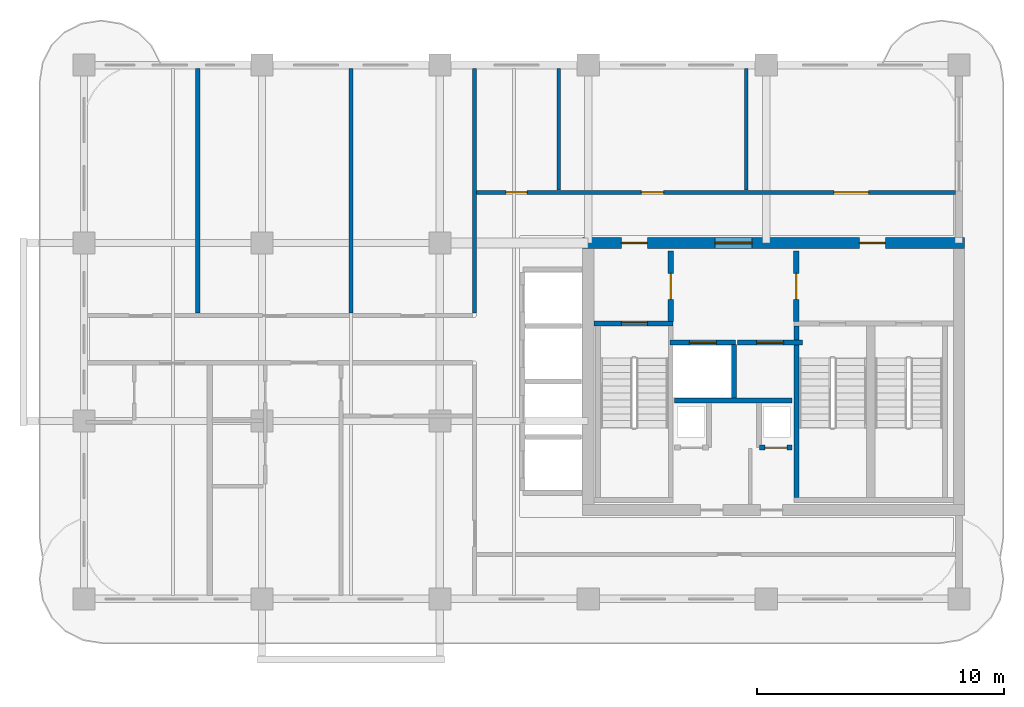
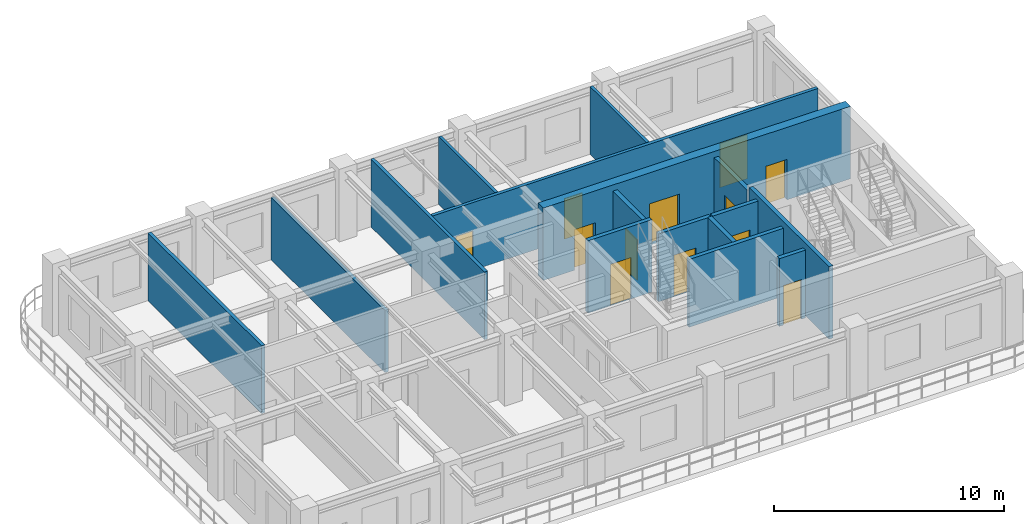
# One storey, part 4 of 7: 16 walls, 12 doors, 12 openings.
"""IFC4 building model written with IfcOpenShell, lengths in metres."""

from ifc_helpers import new_model, si_unit, derived_unit, direction, frame, frame_2d, origin, place, context, subcontext, project, spatial, rectangle, extrude, source, transform, mapped, material, layer, layer_set, type_object, type_shapes, element, fill, save


model = new_model("IFC4")

# Units and contexts
model_context = context("Model", 3, precision=1e-05, world=origin(), true_north=direction((0.0, 1.0)))
body_context = subcontext(model_context, "Body", "Model", "MODEL_VIEW")
ifc_project = project(units=[si_unit("LENGTHUNIT", "METRE"), si_unit("AREAUNIT", "SQUARE_METRE"), si_unit("VOLUMEUNIT", "CUBIC_METRE"), si_unit("PLANEANGLEUNIT", "RADIAN"), si_unit("MASSUNIT", "GRAM", prefix="KILO"), si_unit("THERMODYNAMICTEMPERATUREUNIT", "KELVIN"), si_unit("POWERUNIT", "WATT"), derived_unit("THERMALTRANSMITTANCEUNIT", [(si_unit("POWERUNIT", "WATT"), 1), (si_unit("AREAUNIT", "SQUARE_METRE"), -1), (si_unit("THERMODYNAMICTEMPERATUREUNIT", "KELVIN"), -1)])], contexts=[model_context])

# Site, building, storey
site_placement = place(None, origin())
site = spatial("IfcSite", under=ifc_project, at=site_placement, CompositionType="ELEMENT")
building_placement = place(site_placement, origin())
building = spatial("IfcBuilding", under=site, at=building_placement, Name="Zahravan Archway Hotel and Residences", CompositionType="ELEMENT")
storey_placement = place(building_placement, frame((0.0, 0.0, 244.25)))
storey = spatial("IfcBuildingStorey", under=building, at=storey_placement, Name="L61", CompositionType="ELEMENT", Elevation=244.25)

# Wall, openings, doors
ifc_material_1 = material(Name="Concrete C50/60", Category="concrete")
ifc_layer_1 = layer(ifc_material_1, 0.449951171875, Name="Concrete C50/60", Category="concrete")
ifc_layer_set_1 = layer_set([ifc_layer_1], Name="Concrete C50/60")
wall_type_1 = type_object("IfcWallType", Name="CW-CORE-450", PredefinedType="SHEAR", material=ifc_layer_set_1)
wall_1_placement = place(storey_placement, frame((34.574951171875, 14.39990234375, 0.0), z_axis=(0.0, 0.0, 1.0), x_axis=(1.0, 0.0, 0.0)))
wall_1 = element("IfcWall", 1, at=wall_1_placement, inside=storey, type_object=wall_type_1, Name="L61 Core A Shear N Wall 450 mm", PredefinedType="SHEAR", context=body_context, shape_type="SweptSolid", body=[
    extrude(rectangle(XDim=15.449951171875, YDim=0.449951171875, at=frame_2d((7.72509765625, 0.0))), origin(), (0.0, 0.0, 1.0), 3.85009765625),
])
opening_1_placement = place(wall_1_placement, frame((5.35498046875, 0.0, 0.0)))
opening_1 = element("IfcOpeningElement", 2, at=opening_1_placement, cuts=wall_1, Name="Opening FD-L1", PredefinedType="OPENING", context=body_context, shape_type="SweptSolid", body=[
    extrude(rectangle(XDim=1.5, YDim=2.199951171875, at=frame_2d((0.75, 1.10009765625))), frame((0.0, 0.23486328125, 0.0), z_axis=(0.0, -1.0, 0.0), x_axis=(1.0, 0.0, 0.0)), (0.0, 0.0, 1.0), 0.469970703125),
])
opening_2_placement = place(wall_1_placement, frame((1.570068359375, 0.0, 0.0)))
opening_2 = element("IfcOpeningElement", 3, at=opening_2_placement, cuts=wall_1, Name="Opening FD-L2", PredefinedType="OPENING", context=body_context, shape_type="SweptSolid", body=[
    extrude(rectangle(XDim=1.050048828125, YDim=2.14990234375, at=frame_2d((0.52490234375, 1.074951171875))), frame((0.0, 0.23486328125, 0.0), z_axis=(0.0, -1.0, 0.0), x_axis=(1.0, 0.0, 0.0)), (0.0, 0.0, 1.0), 0.469970703125),
])
opening_3_placement = place(wall_1_placement, frame((11.199951171875, 0.0, 0.0)))
opening_3 = element("IfcOpeningElement", 4, at=opening_3_placement, cuts=wall_1, Name="Opening FD-L2", PredefinedType="OPENING", context=body_context, shape_type="SweptSolid", body=[
    extrude(rectangle(XDim=1.050048828125, YDim=2.14990234375, at=frame_2d((0.52490234375, 1.074951171875))), frame((0.0, 0.23486328125, 0.0), z_axis=(0.0, -1.0, 0.0), x_axis=(1.0, 0.0, 0.0)), (0.0, 0.0, 1.0), 0.469970703125),
])
ifc_material_2 = material(Name="Fire-Rated Painted Steel", Category="steel")
door_type_1 = type_object("IfcDoorType", Name="FD-LOBBY-1100", OperationType="NOTDEFINED", PredefinedType="DOOR", material=ifc_material_2)
shared_shape_1 = source(origin(), body_context, "Body", "SweptSolid", [
    extrude(rectangle(XDim=1.050048828125, YDim=2.14990234375, at=frame_2d((0.52490234375, 1.074951171875))), frame((0.0, 0.02490234375, 0.0), z_axis=(0.0, -1.0, 0.0), x_axis=(1.0, 0.0, 0.0)), (0.0, 0.0, 1.0), 0.050048828125),
])
type_shapes(door_type_1, [shared_shape_1])
door_1_placement = place(opening_2_placement, origin())
door_1 = element("IfcDoor", 5, at=door_1_placement, inside=storey, type_object=door_type_1, Name="L61 Core A West Stair Lobby Door", OperationType="SINGLE_SWING_RIGHT", OverallHeight=2.14990234375, OverallWidth=1.050048828125, PredefinedType="DOOR", context=body_context, shape_type="MappedRepresentation", body=[
    mapped(shared_shape_1, transform((0.0, 0.0, 0.0), scale=1.0)),
])
fill(opening_2, door_1)
door_2_placement = place(opening_3_placement, origin())
door_2 = element("IfcDoor", 6, at=door_2_placement, inside=storey, type_object=door_type_1, Name="L61 Core A East Stair Lobby Door", OperationType="SINGLE_SWING_LEFT", OverallHeight=2.14990234375, OverallWidth=1.050048828125, PredefinedType="DOOR", context=body_context, shape_type="MappedRepresentation", body=[
    mapped(shared_shape_1, transform((0.0, 0.0, 0.0), scale=1.0)),
])
fill(opening_3, door_2)
door_type_2 = type_object("IfcDoorType", Name="FD-LOBBY-1500", OperationType="DOUBLE_DOOR_SINGLE_SWING", PredefinedType="DOOR", material=ifc_material_2)
shared_shape_2 = source(origin(), body_context, "Body", "SweptSolid", [
    extrude(rectangle(XDim=1.5, YDim=2.199951171875, at=frame_2d((0.75, 1.10009765625))), frame((0.0, 0.02490234375, 0.0), z_axis=(0.0, -1.0, 0.0), x_axis=(1.0, 0.0, 0.0)), (0.0, 0.0, 1.0), 0.050048828125),
])
type_shapes(door_type_2, [shared_shape_2])
door_3_placement = place(opening_1_placement, origin())
door_3 = element("IfcDoor", 7, at=door_3_placement, inside=storey, type_object=door_type_2, Name="L61 Core A FSAE Lobby Main Door", OperationType="DOUBLE_DOOR_SINGLE_SWING", OverallHeight=2.199951171875, OverallWidth=1.5, PredefinedType="DOOR", context=body_context, shape_type="MappedRepresentation", body=[
    mapped(shared_shape_2, transform((0.0, 0.0, 0.0), scale=1.0)),
])
fill(opening_1, door_3)

# Wall, opening, door
ifc_material_3 = material(Name="Fire-Rated Gypsum & Concrete Block", Category="concrete")
ifc_layer_2 = layer(ifc_material_3, 0.219970703125, Name="Fire-Rated Gypsum & Concrete Block", Category="concrete")
ifc_layer_set_2 = layer_set([ifc_layer_2], Name="Fire-Rated Gypsum & Concrete Block")
wall_type_2 = type_object("IfcWallType", Name="PW-COMP-220", PredefinedType="PARTITIONING", material=ifc_layer_set_2)
wall_2_placement = place(storey_placement, frame((38.139892578125, 11.219970703125, 0.0), z_axis=(0.0, 0.0, 1.0), x_axis=(0.0, 1.0, 0.0)))
wall_2 = element("IfcWall", 8, at=wall_2_placement, inside=storey, type_object=wall_type_2, Name="L61 Partition CA-LOBW", PredefinedType="PARTITIONING", context=body_context, shape_type="SweptSolid", body=[
    extrude(rectangle(XDim=2.860107421875, YDim=0.219970703125, at=frame_2d((1.43017578125, 0.0))), origin(), (0.0, 0.0, 1.0), 3.60009765625),
])
opening_4_placement = place(wall_2_placement, frame((0.905029296875, 0.0, 0.0)))
opening_4 = element("IfcOpeningElement", 9, at=opening_4_placement, cuts=wall_2, Name="Opening FD-L2", PredefinedType="OPENING", context=body_context, shape_type="SweptSolid", body=[
    extrude(rectangle(XDim=1.050048828125, YDim=2.14990234375, at=frame_2d((0.52490234375, 1.074951171875))), frame((0.0, 0.1201171875, 0.0), z_axis=(0.0, -1.0, 0.0), x_axis=(1.0, 0.0, 0.0)), (0.0, 0.0, 1.0), 0.239990234375),
])
door_4_placement = place(opening_4_placement, origin())
door_4 = element("IfcDoor", 10, at=door_4_placement, inside=storey, type_object=door_type_1, Name="L61 Core A West Stair to FSAE Lobby Door", OperationType="SINGLE_SWING_RIGHT", OverallHeight=2.14990234375, OverallWidth=1.050048828125, PredefinedType="DOOR", context=body_context, shape_type="MappedRepresentation", body=[
    mapped(shared_shape_1, transform((0.0, 0.0, 0.0), scale=1.0)),
])
fill(opening_4, door_4)

wall_3_placement = place(storey_placement, frame((43.219970703125, 11.219970703125, 0.0), z_axis=(0.0, 0.0, 1.0), x_axis=(0.0, 1.0, 0.0)))
wall_3 = element("IfcWall", 11, at=wall_3_placement, inside=storey, type_object=wall_type_2, Name="L61 Partition CA-LOBE", PredefinedType="PARTITIONING", context=body_context, shape_type="SweptSolid", body=[
    extrude(rectangle(XDim=2.860107421875, YDim=0.219970703125, at=frame_2d((1.43017578125, 0.0))), origin(), (0.0, 0.0, 1.0), 3.60009765625),
])
opening_5_placement = place(wall_3_placement, frame((0.905029296875, 0.0, 0.0)))
opening_5 = element("IfcOpeningElement", 12, at=opening_5_placement, cuts=wall_3, Name="Opening FD-L2", PredefinedType="OPENING", context=body_context, shape_type="SweptSolid", body=[
    extrude(rectangle(XDim=1.050048828125, YDim=2.14990234375, at=frame_2d((0.52490234375, 1.074951171875))), frame((0.0, 0.1201171875, 0.0), z_axis=(0.0, -1.0, 0.0), x_axis=(1.0, 0.0, 0.0)), (0.0, 0.0, 1.0), 0.239990234375),
])
door_5_placement = place(opening_5_placement, origin())
door_5 = element("IfcDoor", 13, at=door_5_placement, inside=storey, type_object=door_type_1, Name="L61 Core A East Stair to FSAE Lobby Door", OperationType="SINGLE_SWING_LEFT", OverallHeight=2.14990234375, OverallWidth=1.050048828125, PredefinedType="DOOR", context=body_context, shape_type="MappedRepresentation", body=[
    mapped(shared_shape_1, transform((0.0, 0.0, 0.0), scale=1.0)),
])
fill(opening_5, door_5)

# Wall
ifc_layer_3 = layer(ifc_material_3, 0.159912109375, Name="Fire-Rated Gypsum & Concrete Block", Category="concrete")
ifc_layer_set_3 = layer_set([ifc_layer_3], Name="Fire-Rated Gypsum & Concrete Block")
wall_type_3 = type_object("IfcWallType", Name="PW-CORR-160", PredefinedType="PARTITIONING", material=ifc_layer_set_3)
wall_4_placement = place(storey_placement, frame((30.199951171875, 11.56005859375, 0.0), z_axis=(0.0, 0.0, 1.0), x_axis=(0.0, 1.0, 0.0)))
element("IfcWall", 14, at=wall_4_placement, inside=storey, type_object=wall_type_3, Name="L61 Partition WA-FW", PredefinedType="PARTITIONING", context=body_context, shape_type="SweptSolid", body=[
    extrude(rectangle(XDim=9.89990234375, YDim=0.159912109375, at=frame_2d((4.949951171875, 0.0))), origin(), (0.0, 0.0, 1.0), 3.60009765625),
])

# Wall, openings, doors
wall_5_placement = place(storey_placement, frame((30.2900390625, 16.449951171875, 0.0), z_axis=(0.0, 0.0, 1.0), x_axis=(1.0, 0.0, 0.0)))
wall_5 = element("IfcWall", 15, at=wall_5_placement, inside=storey, type_object=wall_type_3, Name="L61 Partition WA-FN", PredefinedType="PARTITIONING", context=body_context, shape_type="SweptSolid", body=[
    extrude(rectangle(XDim=19.369873046875, YDim=0.159912109375, at=frame_2d((9.68505859375, 0.0))), origin(), (0.0, 0.0, 1.0), 3.60009765625),
])
opening_6_placement = place(wall_5_placement, frame((1.18505859375, 0.0, 0.0)))
opening_6 = element("IfcOpeningElement", 16, at=opening_6_placement, cuts=wall_5, Name="Opening D-B1", PredefinedType="OPENING", context=body_context, shape_type="SweptSolid", body=[
    extrude(rectangle(XDim=0.85009765625, YDim=2.10009765625, at=frame_2d((0.425048828125, 1.050048828125))), frame((0.0, 0.08984375, 0.0), z_axis=(0.0, -1.0, 0.0), x_axis=(1.0, 0.0, 0.0)), (0.0, 0.0, 1.0), 0.179931640625),
])
opening_7_placement = place(wall_5_placement, frame((6.659912109375, 0.0, 0.0)))
opening_7 = element("IfcOpeningElement", 17, at=opening_7_placement, cuts=wall_5, Name="Opening D-I2", PredefinedType="OPENING", context=body_context, shape_type="SweptSolid", body=[
    extrude(rectangle(XDim=0.89990234375, YDim=2.14990234375, at=frame_2d((0.449951171875, 1.074951171875))), frame((0.0, 0.08984375, 0.0), z_axis=(0.0, -1.0, 0.0), x_axis=(1.0, 0.0, 0.0)), (0.0, 0.0, 1.0), 0.179931640625),
])
opening_8_placement = place(wall_5_placement, frame((14.4599609375, 0.0, 0.0)))
opening_8 = element("IfcOpeningElement", 18, at=opening_8_placement, cuts=wall_5, Name="Opening D-P1", PredefinedType="OPENING", context=body_context, shape_type="SweptSolid", body=[
    extrude(rectangle(XDim=1.39990234375, YDim=2.35009765625, at=frame_2d((0.699951171875, 1.175048828125))), frame((0.0, 0.08984375, 0.0), z_axis=(0.0, -1.0, 0.0), x_axis=(1.0, 0.0, 0.0)), (0.0, 0.0, 1.0), 0.179931640625),
])
ifc_material_4 = material(Name="Hardwood Veneer Timber", Category="wood")
door_type_3 = type_object("IfcDoorType", Name="ID-BATH-850", OperationType="NOTDEFINED", PredefinedType="DOOR", material=ifc_material_4)
shared_shape_3 = source(origin(), body_context, "Body", "SweptSolid", [
    extrude(rectangle(XDim=0.85009765625, YDim=2.10009765625, at=frame_2d((0.425048828125, 1.050048828125))), frame((0.0, 0.02490234375, 0.0), z_axis=(0.0, -1.0, 0.0), x_axis=(1.0, 0.0, 0.0)), (0.0, 0.0, 1.0), 0.050048828125),
])
type_shapes(door_type_3, [shared_shape_3])
door_6_placement = place(opening_6_placement, origin())
door_6 = element("IfcDoor", 19, at=door_6_placement, inside=storey, type_object=door_type_3, Name="L61 Accessible Floor Restroom Door", OperationType="SINGLE_SWING_RIGHT", OverallHeight=2.10009765625, OverallWidth=0.85009765625, PredefinedType="DOOR", context=body_context, shape_type="MappedRepresentation", body=[
    mapped(shared_shape_3, transform((0.0, 0.0, 0.0), scale=1.0)),
])
fill(opening_6, door_6)
ifc_material_5 = material(Name="Bronze-Anodized Glazed Aluminium", Category="aluminium")
door_type_4 = type_object("IfcDoorType", Name="ID-PUBLIC-1400", OperationType="DOUBLE_DOOR_SINGLE_SWING", PredefinedType="DOOR", material=ifc_material_5)
shared_shape_4 = source(origin(), body_context, "Body", "SweptSolid", [
    extrude(rectangle(XDim=1.39990234375, YDim=2.35009765625, at=frame_2d((0.699951171875, 1.175048828125))), frame((0.0, 0.02490234375, 0.0), z_axis=(0.0, -1.0, 0.0), x_axis=(1.0, 0.0, 0.0)), (0.0, 0.0, 1.0), 0.050048828125),
])
type_shapes(door_type_4, [shared_shape_4])
door_7_placement = place(opening_8_placement, origin())
door_7 = element("IfcDoor", 20, at=door_7_placement, inside=storey, type_object=door_type_4, Name="L61 Co-Working Room Door", OperationType="DOUBLE_DOOR_SINGLE_SWING", OverallHeight=2.35009765625, OverallWidth=1.39990234375, PredefinedType="DOOR", context=body_context, shape_type="MappedRepresentation", body=[
    mapped(shared_shape_4, transform((0.0, 0.0, 0.0), scale=1.0)),
])
fill(opening_8, door_7)
door_type_5 = type_object("IfcDoorType", Name="ID-INT-900", OperationType="NOTDEFINED", PredefinedType="DOOR", material=ifc_material_4)
shared_shape_5 = source(origin(), body_context, "Body", "SweptSolid", [
    extrude(rectangle(XDim=0.89990234375, YDim=2.14990234375, at=frame_2d((0.449951171875, 1.074951171875))), frame((0.0, 0.02490234375, 0.0), z_axis=(0.0, -1.0, 0.0), x_axis=(1.0, 0.0, 0.0)), (0.0, 0.0, 1.0), 0.050048828125),
])
type_shapes(door_type_5, [shared_shape_5])
door_8_placement = place(opening_7_placement, origin())
door_8 = element("IfcDoor", 21, at=door_8_placement, inside=storey, type_object=door_type_5, Name="L61 Tea Servery Door", OperationType="SINGLE_SWING_LEFT", OverallHeight=2.14990234375, OverallWidth=0.89990234375, PredefinedType="DOOR", context=body_context, shape_type="MappedRepresentation", body=[
    mapped(shared_shape_5, transform((0.0, 0.0, 0.0), scale=1.0)),
])
fill(opening_7, door_8)

# Walls
ifc_layer_4 = layer(ifc_material_3, 0.199951171875, Name="Fire-Rated Gypsum & Concrete Block", Category="concrete")
ifc_layer_set_4 = layer_set([ifc_layer_4], Name="Fire-Rated Gypsum & Concrete Block")
wall_type_4 = type_object("IfcWallType", Name="PW-SHAFT-200", PredefinedType="PARTITIONING", material=ifc_layer_set_4)
wall_6_placement = place(storey_placement, frame((38.300048828125, 8.030029296875, 0.0), z_axis=(0.0, 0.0, 1.0), x_axis=(1.0, 0.0, 0.0)))
element("IfcWall", 22, at=wall_6_placement, inside=storey, type_object=wall_type_4, Name="L61 Partition CA-FLS", PredefinedType="PARTITIONING", context=body_context, shape_type="SweptSolid", body=[
    extrude(rectangle(XDim=4.739990234375, YDim=0.199951171875, at=frame_2d((2.3701171875, 0.0))), origin(), (0.0, 0.0, 1.0), 3.60009765625),
])
wall_7_placement = place(storey_placement, frame((40.699951171875, 8.1201171875, 0.0), z_axis=(0.0, 0.0, 1.0), x_axis=(0.0, 1.0, 0.0)))
element("IfcWall", 23, at=wall_7_placement, inside=storey, type_object=wall_type_4, Name="L61 Partition CA-FLM", PredefinedType="PARTITIONING", context=body_context, shape_type="SweptSolid", body=[
    extrude(rectangle(XDim=2.179931640625, YDim=0.199951171875, at=frame_2d((1.08984375, 0.0))), origin(), (0.0, 0.0, 1.0), 3.60009765625),
])

# Wall, opening, door
wall_8_placement = place(storey_placement, frame((41.72998046875, 6.1201171875, 0.0), z_axis=(0.0, 0.0, 1.0), x_axis=(1.0, 0.0, 0.0)))
wall_8 = element("IfcWall", 24, at=wall_8_placement, inside=storey, type_object=wall_type_4, Name="L61 Partition CA-MEPS", PredefinedType="PARTITIONING", context=body_context, shape_type="SweptSolid", body=[
    extrude(rectangle(XDim=1.320068359375, YDim=0.199951171875, at=frame_2d((0.66015625, 0.0))), origin(), (0.0, 0.0, 1.0), 3.60009765625),
])
opening_9_placement = place(wall_8_placement, frame((0.219970703125, 0.0, 0.0)))
opening_9 = element("IfcOpeningElement", 25, at=opening_9_placement, cuts=wall_8, Name="Opening FD-R1", PredefinedType="OPENING", context=body_context, shape_type="SweptSolid", body=[
    extrude(rectangle(XDim=0.89990234375, YDim=2.10009765625, at=frame_2d((0.449951171875, 1.050048828125))), frame((0.0, 0.10986328125, 0.0), z_axis=(0.0, -1.0, 0.0), x_axis=(1.0, 0.0, 0.0)), (0.0, 0.0, 1.0), 0.219970703125),
])
door_type_6 = type_object("IfcDoorType", Name="FD-RISER-900", OperationType="NOTDEFINED", PredefinedType="DOOR", material=ifc_material_2)
shared_shape_6 = source(origin(), body_context, "Body", "SweptSolid", [
    extrude(rectangle(XDim=0.89990234375, YDim=2.10009765625, at=frame_2d((0.449951171875, 1.050048828125))), frame((0.0, 0.02490234375, 0.0), z_axis=(0.0, -1.0, 0.0), x_axis=(1.0, 0.0, 0.0)), (0.0, 0.0, 1.0), 0.050048828125),
])
type_shapes(door_type_6, [shared_shape_6])
door_9_placement = place(opening_9_placement, origin())
door_9 = element("IfcDoor", 26, at=door_9_placement, inside=storey, type_object=door_type_6, Name="L61 MEP Riser Access Door", OperationType="SINGLE_SWING_LEFT", OverallHeight=2.10009765625, OverallWidth=0.89990234375, PredefinedType="DOOR", context=body_context, shape_type="MappedRepresentation", body=[
    mapped(shared_shape_6, transform((0.0, 0.0, 0.0), scale=1.0)),
])
fill(opening_9, door_9)

wall_9_placement = place(storey_placement, frame((38.1201171875, 10.3701171875, 0.0), z_axis=(0.0, 0.0, 1.0), x_axis=(1.0, 0.0, 0.0)))
wall_9 = element("IfcWall", 27, at=wall_9_placement, inside=storey, type_object=wall_type_4, Name="L61 Lift FL-1 Front Wall", PredefinedType="PARTITIONING", context=body_context, shape_type="SweptSolid", body=[
    extrude(rectangle(XDim=2.639892578125, YDim=0.199951171875, at=frame_2d((1.31982421875, 0.0))), origin(), (0.0, 0.0, 1.0), 3.60009765625),
])
opening_10_placement = place(wall_9_placement, frame((0.77001953125, 0.0, 0.0)))
opening_10 = element("IfcOpeningElement", 28, at=opening_10_placement, cuts=wall_9, Name="Opening LD", PredefinedType="OPENING", context=body_context, shape_type="SweptSolid", body=[
    extrude(rectangle(XDim=1.10009765625, YDim=2.199951171875, at=frame_2d((0.550048828125, 1.10009765625))), frame((0.0, 0.10986328125, 0.0), z_axis=(0.0, -1.0, 0.0), x_axis=(1.0, 0.0, 0.0)), (0.0, 0.0, 1.0), 0.219970703125),
])
ifc_material_6 = material(Name="Brushed Stainless Steel", Category="steel")
door_type_7 = type_object("IfcDoorType", Name="DR-LIFT-LD", OperationType="SLIDING_TO_LEFT", PredefinedType="DOOR", material=ifc_material_6)
shared_shape_7 = source(origin(), body_context, "Body", "SweptSolid", [
    extrude(rectangle(XDim=1.10009765625, YDim=2.199951171875, at=frame_2d((0.550048828125, 1.10009765625))), frame((0.0, 0.02490234375, 0.0), z_axis=(0.0, -1.0, 0.0), x_axis=(1.0, 0.0, 0.0)), (0.0, 0.0, 1.0), 0.050048828125),
])
type_shapes(door_type_7, [shared_shape_7])
door_10_placement = place(opening_10_placement, origin())
door_10 = element("IfcDoor", 29, at=door_10_placement, inside=storey, type_object=door_type_7, Name="L61 Lift FL-1 Sliding Landing Door", OperationType="SLIDING_TO_LEFT", OverallHeight=2.199951171875, OverallWidth=1.10009765625, PredefinedType="DOOR", context=body_context, shape_type="MappedRepresentation", body=[
    mapped(shared_shape_7, transform((0.0, 0.0, 0.0), scale=1.0)),
])
fill(opening_10, door_10)

wall_10_placement = place(storey_placement, frame((40.840087890625, 10.3701171875, 0.0), z_axis=(0.0, 0.0, 1.0), x_axis=(1.0, 0.0, 0.0)))
wall_10 = element("IfcWall", 30, at=wall_10_placement, inside=storey, type_object=wall_type_4, Name="L61 Lift FL-2 Front Wall", PredefinedType="PARTITIONING", context=body_context, shape_type="SweptSolid", body=[
    extrude(rectangle(XDim=2.639892578125, YDim=0.199951171875, at=frame_2d((1.31982421875, 0.0))), origin(), (0.0, 0.0, 1.0), 3.60009765625),
])
opening_11_placement = place(wall_10_placement, frame((0.77001953125, 0.0, 0.0)))
opening_11 = element("IfcOpeningElement", 31, at=opening_11_placement, cuts=wall_10, Name="Opening LD", PredefinedType="OPENING", context=body_context, shape_type="SweptSolid", body=[
    extrude(rectangle(XDim=1.10009765625, YDim=2.199951171875, at=frame_2d((0.550048828125, 1.10009765625))), frame((0.0, 0.10986328125, 0.0), z_axis=(0.0, -1.0, 0.0), x_axis=(1.0, 0.0, 0.0)), (0.0, 0.0, 1.0), 0.219970703125),
])
door_11_placement = place(opening_11_placement, origin())
door_11 = element("IfcDoor", 32, at=door_11_placement, inside=storey, type_object=door_type_7, Name="L61 Lift FL-2 Sliding Landing Door", OperationType="SLIDING_TO_LEFT", OverallHeight=2.199951171875, OverallWidth=1.10009765625, PredefinedType="DOOR", context=body_context, shape_type="MappedRepresentation", body=[
    mapped(shared_shape_7, transform((0.0, 0.0, 0.0), scale=1.0)),
])
fill(opening_11, door_11)

# Walls
ifc_material_7 = material(Name="Acoustic Stud Partition")
ifc_layer_5 = layer(ifc_material_7, 0.169921875, Name="Acoustic Stud Partition")
ifc_layer_set_5 = layer_set([ifc_layer_5], Name="Acoustic Stud Partition")
wall_type_5 = type_object("IfcWallType", Name="PW-UNIT-170", PredefinedType="PARTITIONING", material=ifc_layer_set_5)
wall_11_placement = place(storey_placement, frame((19.0, 11.56005859375, 0.0), z_axis=(0.0, 0.0, 1.0), x_axis=(0.0, 1.0, 0.0)))
element("IfcWall", 33, at=wall_11_placement, inside=storey, type_object=wall_type_5, Name="L61 Partition WAN-SA4A", PredefinedType="PARTITIONING", context=body_context, shape_type="SweptSolid", body=[
    extrude(rectangle(XDim=9.891845703125, YDim=0.169921875, at=frame_2d((4.94580078125, 0.0))), origin(), (0.0, 0.0, 1.0), 3.60009765625),
])
wall_12_placement = place(storey_placement, frame((25.199951171875, 11.56005859375, 0.0), z_axis=(0.0, 0.0, 1.0), x_axis=(0.0, 1.0, 0.0)))
element("IfcWall", 34, at=wall_12_placement, inside=storey, type_object=wall_type_5, Name="L61 Partition WAN-SA4B", PredefinedType="PARTITIONING", context=body_context, shape_type="SweptSolid", body=[
    extrude(rectangle(XDim=9.891845703125, YDim=0.169921875, at=frame_2d((4.94580078125, 0.0))), origin(), (0.0, 0.0, 1.0), 3.31494140625),
])
ifc_material_8 = material(Name="Moisture-Resistant Blockwork", Category="masonry")
ifc_layer_6 = layer(ifc_material_8, 0.139892578125, Name="Moisture-Resistant Blockwork", Category="masonry")
ifc_layer_set_6 = layer_set([ifc_layer_6], Name="Moisture-Resistant Blockwork")
wall_type_6 = type_object("IfcWallType", Name="PW-WET-140", PredefinedType="PARTITIONING", material=ifc_layer_set_6)
for number, where, z_axis, x_axis, name in (
    (35, (33.60009765625, 16.5400390625, 0.0), (0.0, 0.0, 1.0), (0.0, 1.0, 0.0), "L61 Partition NE0-1"),
    (36, (41.199951171875, 16.5400390625, 0.0), (0.0, 0.0, 1.0), (0.0, 1.0, 0.0), "L61 Partition NE0-2"),
):
    element("IfcWall", number, at=place(storey_placement, frame(where, z_axis=z_axis, x_axis=x_axis)), inside=storey, type_object=wall_type_6, Name=name, PredefinedType="PARTITIONING", context=body_context, shape_type="SweptSolid", body=[
        extrude(rectangle(XDim=4.911865234375, YDim=0.139892578125, at=frame_2d((2.4560546875, 0.0))), origin(), (0.0, 0.0, 1.0), 3.60009765625),
    ])

# Wall, opening, door
ifc_layer_7 = layer(ifc_material_1, 0.199951171875, Name="Concrete C50/60", Category="concrete")
ifc_layer_set_7 = layer_set([ifc_layer_7], Name="Concrete C50/60")
wall_type_7 = type_object("IfcWallType", Name="SW-STAIR-200", PredefinedType="SHEAR", material=ifc_layer_set_7)
wall_13_placement = place(storey_placement, frame((35.02490234375, 11.14990234375, 0.0), z_axis=(0.0, 0.0, 1.0), x_axis=(1.0, 0.0, 0.0)))
wall_13 = element("IfcWall", 37, at=wall_13_placement, inside=storey, type_object=wall_type_7, Name="L61 Stairwell RC Wall CA-SA1N", PredefinedType="SHEAR", context=body_context, shape_type="SweptSolid", body=[
    extrude(rectangle(XDim=3.215087890625, YDim=0.199951171875, at=frame_2d((1.607421875, 0.0))), origin(), (0.0, 0.0, 1.0), 3.85009765625),
])
opening_12_placement = place(wall_13_placement, frame((1.1201171875, 0.0, 0.0)))
opening_12 = element("IfcOpeningElement", 38, at=opening_12_placement, cuts=wall_13, Name="Opening FD-S1", PredefinedType="OPENING", context=body_context, shape_type="SweptSolid", body=[
    extrude(rectangle(XDim=1.050048828125, YDim=2.199951171875, at=frame_2d((0.52490234375, 1.10009765625))), frame((0.0, 0.10986328125, 0.0), z_axis=(0.0, -1.0, 0.0), x_axis=(1.0, 0.0, 0.0)), (0.0, 0.0, 1.0), 0.219970703125),
])
door_type_8 = type_object("IfcDoorType", Name="FD-STAIR-1100", OperationType="NOTDEFINED", PredefinedType="DOOR", material=ifc_material_2)
shared_shape_8 = source(origin(), body_context, "Body", "SweptSolid", [
    extrude(rectangle(XDim=1.050048828125, YDim=2.199951171875, at=frame_2d((0.52490234375, 1.10009765625))), frame((0.0, 0.02490234375, 0.0), z_axis=(0.0, -1.0, 0.0), x_axis=(1.0, 0.0, 0.0)), (0.0, 0.0, 1.0), 0.050048828125),
])
type_shapes(door_type_8, [shared_shape_8])
door_12_placement = place(opening_12_placement, origin())
door_12 = element("IfcDoor", 39, at=door_12_placement, inside=storey, type_object=door_type_8, Name="L61 Stair ST-A1 Door", OperationType="SINGLE_SWING_LEFT", OverallHeight=2.199951171875, OverallWidth=1.050048828125, PredefinedType="DOOR", context=body_context, shape_type="MappedRepresentation", body=[
    mapped(shared_shape_8, transform((0.0, 0.0, 0.0), scale=1.0)),
])
fill(opening_12, door_12)

# Wall
wall_14_placement = place(storey_placement, frame((43.219970703125, 4.10009765625, 0.0), z_axis=(0.0, 0.0, 1.0), x_axis=(0.0, 1.0, 0.0)))
element("IfcWall", 40, at=wall_14_placement, inside=storey, type_object=wall_type_7, Name="L61 Stairwell RC Wall CA-SA2W", PredefinedType="SHEAR", context=body_context, shape_type="SweptSolid", body=[
    extrude(rectangle(XDim=6.949951171875, YDim=0.199951171875, at=frame_2d((3.47509765625, 0.0))), origin(), (0.0, 0.0, 1.0), 3.85009765625),
])

save(model, "model.ifc")
